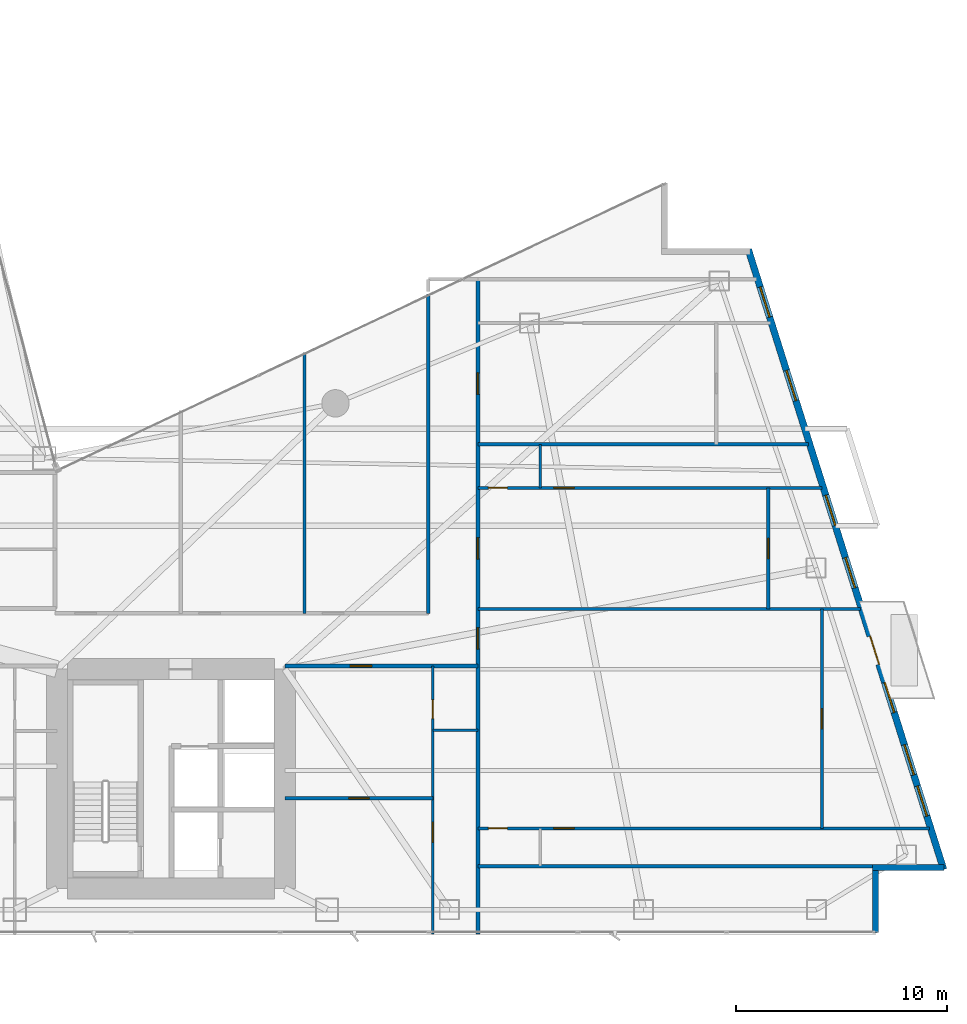
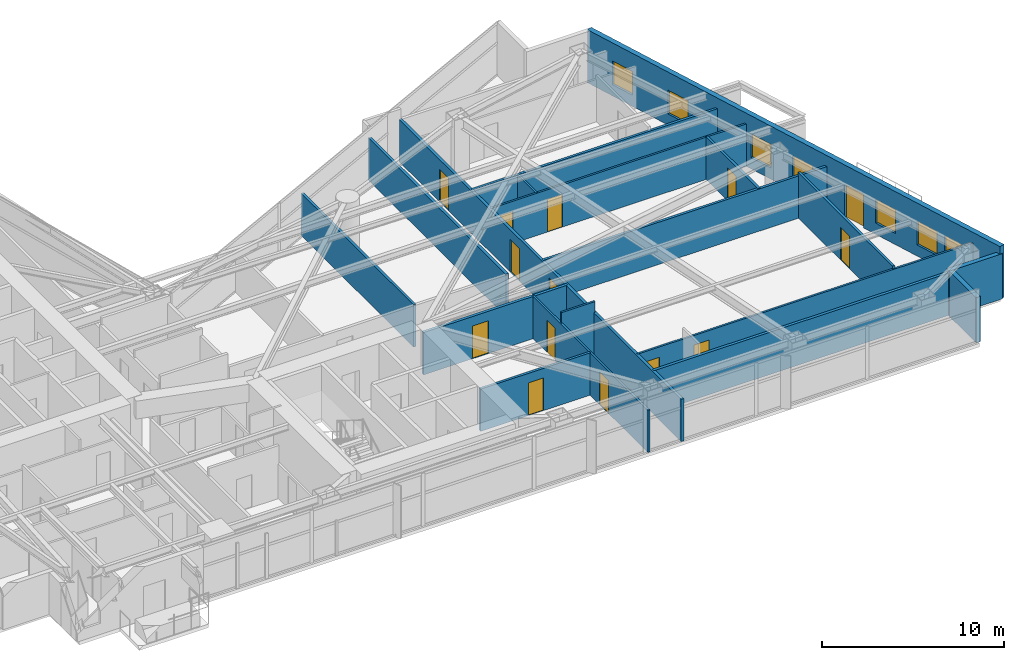
# One storey, part 24 of 29: 18 walls, 14 doors, 7 windows, 21 openings.
"""IFC4 building model written with IfcOpenShell, lengths in metres."""

from ifc_helpers import new_model, si_unit, direction, frame, frame_2d, origin, place, context, subcontext, project, spatial, rectangle, extrude, material, layer, layer_set, type_object, element, fill, save


model = new_model("IFC4")

# Units and contexts
model_context = context("Model", 3, precision=1e-05, world=origin(), true_north=direction((0.0, 1.0)))
body_context = subcontext(model_context, "Body", "Model", "MODEL_VIEW")
ifc_project = project(units=[si_unit("LENGTHUNIT", "METRE"), si_unit("AREAUNIT", "SQUARE_METRE"), si_unit("VOLUMEUNIT", "CUBIC_METRE"), si_unit("PLANEANGLEUNIT", "RADIAN"), si_unit("MASSUNIT", "GRAM", prefix="KILO")], contexts=[model_context])

# Site, building, storey
site_placement = place(None, origin())
site = spatial("IfcSite", under=ifc_project, at=site_placement, CompositionType="ELEMENT")
building_placement = place(site_placement, origin())
building = spatial("IfcBuilding", under=site, at=building_placement, Name="Calvorn Quay Hotel", CompositionType="ELEMENT")
storey_placement = place(building_placement, frame((0.0, 0.0, 62.199951171875)))
storey = spatial("IfcBuildingStorey", under=building, at=storey_placement, Name="L14", CompositionType="ELEMENT", Elevation=62.199951171875)

# Wall, opening, door
ifc_material_1 = material(Name="Acoustic Fireboard Steel-Stud Partition", Category="steel")
ifc_layer_1 = layer(ifc_material_1, 0.179931640625)
ifc_layer_set_1 = layer_set([ifc_layer_1], Name="WL-CORR-FIRE-180")
wall_type_1 = type_object("IfcWallType", Name="WL-CORR-FIRE-180", PredefinedType="PARTITIONING", material=ifc_layer_set_1)
wall_1_placement = place(storey_placement, frame((32.39990234375, 15.14990234375, 0.0), z_axis=(0.0, 0.0, 1.0), x_axis=(1.0, 0.0, 0.0)))
wall_1 = element("IfcWall", 1, at=wall_1_placement, inside=storey, type_object=wall_type_1, Name="Partition Wall L14-WL-CORR-SE-S", PredefinedType="PARTITIONING", context=body_context, shape_type="SweptSolid", body=[
    extrude(rectangle(XDim=9.150146484375, YDim=0.179931640625, at=frame_2d((4.5751953125, 0.0))), origin(), (0.0, 0.0, 1.0), 2.840087890625),
])
opening_1_placement = place(wall_1_placement, frame((3.10009765625, 0.0, 0.0)))
opening_1 = element("IfcOpeningElement", 2, at=opening_1_placement, cuts=wall_1, Name="Opening D-L14-U06", PredefinedType="OPENING", context=body_context, shape_type="SweptSolid", body=[
    extrude(rectangle(XDim=1.02001953125, YDim=2.199951171875, at=frame_2d((0.510009765625, 1.10009765625))), frame((0.0, 0.099853515625, 0.0), z_axis=(0.0, -1.0, 0.0), x_axis=(1.0, 0.0, 0.0)), (0.0, 0.0, 1.0), 0.199951171875),
])
ifc_material_2 = material(Name="Solid-Core Walnut Veneer Hotel Fire Door")
door_type_1 = type_object("IfcDoorType", Name="DR-GUEST-ENTRY-1020", OperationType="NOTDEFINED", PredefinedType="DOOR", material=ifc_material_2)
door_1_placement = place(opening_1_placement, origin())
door_1 = element("IfcDoor", 3, at=door_1_placement, inside=storey, type_object=door_type_1, Name="South-East Unit Door U06 (L14)", OperationType="SINGLE_SWING_LEFT", OverallHeight=2.199951171875, OverallWidth=1.02001953125, PredefinedType="DOOR", context=body_context, shape_type="SweptSolid", body=[
    extrude(rectangle(XDim=1.02001953125, YDim=2.199951171875, at=frame_2d((0.510009765625, 1.10009765625))), frame((0.0, 0.02490234375, 0.0), z_axis=(0.0, -1.0, 0.0), x_axis=(1.0, 0.0, 0.0)), (0.0, 0.0, 1.0), 0.050048828125),
])
fill(opening_1, door_1)

# Walls
wall_2_placement = place(storey_placement, frame((39.199951171875, 17.64990234375, 0.0), z_axis=(0.0, 0.0, 1.0), x_axis=(0.0, 1.0, 0.0)))
element("IfcWall", 4, at=wall_2_placement, inside=storey, type_object=wall_type_1, Name="Partition Wall L14-WL-NE-END-E", PredefinedType="PARTITIONING", context=body_context, shape_type="SweptSolid", body=[
    extrude(rectangle(XDim=15.14013671875, YDim=0.179931640625, at=frame_2d((7.570068359375, 0.0))), origin(), (0.0, 0.0, 1.0), 2.840087890625),
])
wall_3_placement = place(storey_placement, frame((41.550048828125, 5.659912109375, 0.0), z_axis=(0.0, 0.0, 1.0), x_axis=(1.0, 0.0, 0.0)))
element("IfcWall", 5, at=wall_3_placement, inside=storey, type_object=wall_type_1, Name="Partition Wall L14-WL-TIP-S", PredefinedType="PARTITIONING", context=body_context, shape_type="SweptSolid", body=[
    extrude(rectangle(XDim=18.849853515625, YDim=0.179931640625, at=frame_2d((9.4248046875, 0.0))), origin(), (0.0, 0.0, 1.0), 2.840087890625),
])

# Wall, openings, doors
wall_4_placement = place(storey_placement, frame((41.550048828125, 2.43994140625, 0.0), z_axis=(0.0, 0.0, 1.0), x_axis=(0.0, 1.0, 0.0)))
wall_4 = element("IfcWall", 6, at=wall_4_placement, inside=storey, type_object=wall_type_1, Name="Partition Wall L14-WL-CORR-TIP-E", PredefinedType="PARTITIONING", context=body_context, shape_type="SweptSolid", body=[
    extrude(rectangle(XDim=31.0400390625, YDim=0.179931640625, at=frame_2d((15.52001953125, 0.0))), origin(), (0.0, 0.0, 1.0), 2.840087890625),
])
opening_2_placement = place(wall_4_placement, frame((13.510009765625, 0.0, 0.0)))
opening_2 = element("IfcOpeningElement", 7, at=opening_2_placement, cuts=wall_4, Name="Opening D-L14-U07", PredefinedType="OPENING", context=body_context, shape_type="SweptSolid", body=[
    extrude(rectangle(XDim=1.02001953125, YDim=2.199951171875, at=frame_2d((0.510009765625, 1.10009765625))), frame((0.0, 0.099853515625, 0.0), z_axis=(0.0, -1.0, 0.0), x_axis=(1.0, 0.0, 0.0)), (0.0, 0.0, 1.0), 0.199951171875),
])
opening_3_placement = place(wall_4_placement, frame((17.77001953125, 0.0, 0.0)))
opening_3 = element("IfcOpeningElement", 8, at=opening_3_placement, cuts=wall_4, Name="Opening D-L14-U08", PredefinedType="OPENING", context=body_context, shape_type="SweptSolid", body=[
    extrude(rectangle(XDim=1.02001953125, YDim=2.199951171875, at=frame_2d((0.510009765625, 1.10009765625))), frame((0.0, 0.099853515625, 0.0), z_axis=(0.0, -1.0, 0.0), x_axis=(1.0, 0.0, 0.0)), (0.0, 0.0, 1.0), 0.199951171875),
])
opening_4_placement = place(wall_4_placement, frame((25.580078125, 0.0, 0.0)))
opening_4 = element("IfcOpeningElement", 9, at=opening_4_placement, cuts=wall_4, Name="Opening D-L14-U09", PredefinedType="OPENING", context=body_context, shape_type="SweptSolid", body=[
    extrude(rectangle(XDim=1.02001953125, YDim=2.199951171875, at=frame_2d((0.510009765625, 1.10009765625))), frame((0.0, 0.099853515625, 0.0), z_axis=(0.0, -1.0, 0.0), x_axis=(1.0, 0.0, 0.0)), (0.0, 0.0, 1.0), 0.199951171875),
])
door_2_placement = place(opening_2_placement, origin())
door_2 = element("IfcDoor", 10, at=door_2_placement, inside=storey, type_object=door_type_1, Name="Terrace Suite Door U07 (L14)", OperationType="SINGLE_SWING_LEFT", OverallHeight=2.199951171875, OverallWidth=1.02001953125, PredefinedType="DOOR", context=body_context, shape_type="SweptSolid", body=[
    extrude(rectangle(XDim=1.02001953125, YDim=2.199951171875, at=frame_2d((0.510009765625, 1.10009765625))), frame((0.0, 0.02490234375, 0.0), z_axis=(0.0, -1.0, 0.0), x_axis=(1.0, 0.0, 0.0)), (0.0, 0.0, 1.0), 0.050048828125),
])
fill(opening_2, door_2)
door_3_placement = place(opening_3_placement, origin())
door_3 = element("IfcDoor", 11, at=door_3_placement, inside=storey, type_object=door_type_1, Name="Mid-East Suite Door U08 (L14)", OperationType="SINGLE_SWING_RIGHT", OverallHeight=2.199951171875, OverallWidth=1.02001953125, PredefinedType="DOOR", context=body_context, shape_type="SweptSolid", body=[
    extrude(rectangle(XDim=1.02001953125, YDim=2.199951171875, at=frame_2d((0.510009765625, 1.10009765625))), frame((0.0, 0.02490234375, 0.0), z_axis=(0.0, -1.0, 0.0), x_axis=(1.0, 0.0, 0.0)), (0.0, 0.0, 1.0), 0.050048828125),
])
fill(opening_3, door_3)
door_4_placement = place(opening_4_placement, origin())
door_4 = element("IfcDoor", 12, at=door_4_placement, inside=storey, type_object=door_type_1, Name="Horizon Suite Door U09 (L14)", OperationType="SINGLE_SWING_LEFT", OverallHeight=2.199951171875, OverallWidth=1.02001953125, PredefinedType="DOOR", context=body_context, shape_type="SweptSolid", body=[
    extrude(rectangle(XDim=1.02001953125, YDim=2.199951171875, at=frame_2d((0.510009765625, 1.10009765625))), frame((0.0, 0.02490234375, 0.0), z_axis=(0.0, -1.0, 0.0), x_axis=(1.0, 0.0, 0.0)), (0.0, 0.0, 1.0), 0.050048828125),
])
fill(opening_4, door_4)

# Wall
ifc_material_3 = material(Name="Moisture-Resistant Tile-Backed Partition")
ifc_layer_2 = layer(ifc_material_3, 0.125)
ifc_layer_set_2 = layer_set([ifc_layer_2], Name="WL-ENSUITE-125")
wall_type_2 = type_object("IfcWallType", Name="WL-ENSUITE-125", PredefinedType="PARTITIONING", material=ifc_layer_set_2)
wall_5_placement = place(storey_placement, frame((39.419921875, 12.10009765625, 0.0), z_axis=(0.0, 0.0, 1.0), x_axis=(1.0, 0.0, 0.0)))
element("IfcWall", 13, at=wall_5_placement, inside=storey, type_object=wall_type_2, Name="Partition Wall L14-WL-U06-BDV", PredefinedType="PARTITIONING", context=body_context, shape_type="SweptSolid", body=[
    extrude(rectangle(XDim=2.130126953125, YDim=0.125, at=frame_2d((1.06494140625, 0.0))), origin(), (0.0, 0.0, 1.0), 3.56005859375),
])

# Wall, openings, doors
wall_6_placement = place(storey_placement, frame((39.419921875, 2.43994140625, 0.0), z_axis=(0.0, 0.0, 1.0), x_axis=(0.0, 1.0, 0.0)))
wall_6 = element("IfcWall", 14, at=wall_6_placement, inside=storey, type_object=wall_type_2, Name="Partition Wall L14-WL-U06-BV", PredefinedType="PARTITIONING", context=body_context, shape_type="SweptSolid", body=[
    extrude(rectangle(XDim=12.7099609375, YDim=0.125, at=frame_2d((6.35498046875, 0.0))), origin(), (0.0, 0.0, 1.0), 2.840087890625),
])
opening_5_placement = place(wall_6_placement, frame((4.35009765625, 0.0, 0.0)))
opening_5 = element("IfcOpeningElement", 15, at=opening_5_placement, cuts=wall_6, Name="Opening D-L14-S06", PredefinedType="OPENING", context=body_context, shape_type="SweptSolid", body=[
    extrude(rectangle(XDim=0.9599609375, YDim=2.199951171875, at=frame_2d((0.47998046875, 1.10009765625))), frame((0.0, 0.072509765625, 0.0), z_axis=(0.0, -1.0, 0.0), x_axis=(1.0, 0.0, 0.0)), (0.0, 0.0, 1.0), 0.14501953125),
])
opening_6_placement = place(wall_6_placement, frame((10.2099609375, 0.0, 0.0)))
opening_6 = element("IfcOpeningElement", 16, at=opening_6_placement, cuts=wall_6, Name="Opening D-L14-E06", PredefinedType="OPENING", context=body_context, shape_type="SweptSolid", body=[
    extrude(rectangle(XDim=0.89990234375, YDim=2.14990234375, at=frame_2d((0.449951171875, 1.074951171875))), frame((0.0, 0.072509765625, 0.0), z_axis=(0.0, -1.0, 0.0), x_axis=(1.0, 0.0, 0.0)), (0.0, 0.0, 1.0), 0.14501953125),
])
ifc_material_4 = material(Name="Moisture-Sealed Timber En-Suite Door", Category="wood")
door_type_2 = type_object("IfcDoorType", Name="DR-ENSUITE-900", OperationType="NOTDEFINED", PredefinedType="DOOR", material=ifc_material_4)
door_5_placement = place(opening_6_placement, origin())
door_5 = element("IfcDoor", 17, at=door_5_placement, inside=storey, type_object=door_type_2, Name="En-Suite Door 06", OperationType="SINGLE_SWING_RIGHT", OverallHeight=2.14990234375, OverallWidth=0.89990234375, PredefinedType="DOOR", context=body_context, shape_type="SweptSolid", body=[
    extrude(rectangle(XDim=0.89990234375, YDim=2.14990234375, at=frame_2d((0.449951171875, 1.074951171875))), frame((0.0, 0.02490234375, 0.0), z_axis=(0.0, -1.0, 0.0), x_axis=(1.0, 0.0, 0.0)), (0.0, 0.0, 1.0), 0.050048828125),
])
fill(opening_6, door_5)
ifc_material_5 = material(Name="Solid Timber Internal Suite Door", Category="wood")
door_type_3 = type_object("IfcDoorType", Name="DR-SUITE-INT-960", OperationType="NOTDEFINED", PredefinedType="DOOR", material=ifc_material_5)
door_6_placement = place(opening_5_placement, origin())
door_6 = element("IfcDoor", 18, at=door_6_placement, inside=storey, type_object=door_type_3, Name="Private Executive Study Door 06", OperationType="SINGLE_SWING_LEFT", OverallHeight=2.199951171875, OverallWidth=0.9599609375, PredefinedType="DOOR", context=body_context, shape_type="SweptSolid", body=[
    extrude(rectangle(XDim=0.9599609375, YDim=2.199951171875, at=frame_2d((0.47998046875, 1.10009765625))), frame((0.0, 0.02490234375, 0.0), z_axis=(0.0, -1.0, 0.0), x_axis=(1.0, 0.0, 0.0)), (0.0, 0.0, 1.0), 0.050048828125),
])
fill(opening_5, door_6)

wall_7_placement = place(storey_placement, frame((41.550048828125, 7.449951171875, 0.0), z_axis=(0.0, 0.0, 1.0), x_axis=(1.0, 0.0, 0.0)))
wall_7 = element("IfcWall", 19, at=wall_7_placement, inside=storey, type_object=wall_type_2, Name="Partition Wall L14-WL-U07-BH", PredefinedType="PARTITIONING", context=body_context, shape_type="SweptSolid", body=[
    extrude(rectangle(XDim=21.409912109375, YDim=0.125, at=frame_2d((10.705078125, 0.0))), origin(), (0.0, 0.0, 1.0), 2.840087890625),
])
opening_7_placement = place(wall_7_placement, frame((0.5, 0.0, 0.0)))
opening_7 = element("IfcOpeningElement", 20, at=opening_7_placement, cuts=wall_7, Name="Opening D-L14-E07", PredefinedType="OPENING", context=body_context, shape_type="SweptSolid", body=[
    extrude(rectangle(XDim=0.89990234375, YDim=2.14990234375, at=frame_2d((0.449951171875, 1.074951171875))), frame((0.0, 0.072509765625, 0.0), z_axis=(0.0, -1.0, 0.0), x_axis=(1.0, 0.0, 0.0)), (0.0, 0.0, 1.0), 0.14501953125),
])
opening_8_placement = place(wall_7_placement, frame((3.60009765625, 0.0, 0.0)))
opening_8 = element("IfcOpeningElement", 21, at=opening_8_placement, cuts=wall_7, Name="Opening D-L14-S07", PredefinedType="OPENING", context=body_context, shape_type="SweptSolid", body=[
    extrude(rectangle(XDim=0.9599609375, YDim=2.199951171875, at=frame_2d((0.47998046875, 1.10009765625))), frame((0.0, 0.072509765625, 0.0), z_axis=(0.0, -1.0, 0.0), x_axis=(1.0, 0.0, 0.0)), (0.0, 0.0, 1.0), 0.14501953125),
])
door_7_placement = place(opening_7_placement, origin())
door_7 = element("IfcDoor", 22, at=door_7_placement, inside=storey, type_object=door_type_2, Name="En-Suite Door 07", OperationType="SINGLE_SWING_LEFT", OverallHeight=2.14990234375, OverallWidth=0.89990234375, PredefinedType="DOOR", context=body_context, shape_type="SweptSolid", body=[
    extrude(rectangle(XDim=0.89990234375, YDim=2.14990234375, at=frame_2d((0.449951171875, 1.074951171875))), frame((0.0, 0.02490234375, 0.0), z_axis=(0.0, -1.0, 0.0), x_axis=(1.0, 0.0, 0.0)), (0.0, 0.0, 1.0), 0.050048828125),
])
fill(opening_7, door_7)
door_8_placement = place(opening_8_placement, origin())
door_8 = element("IfcDoor", 23, at=door_8_placement, inside=storey, type_object=door_type_3, Name="Private Executive Study Door 07", OperationType="SINGLE_SWING_RIGHT", OverallHeight=2.199951171875, OverallWidth=0.9599609375, PredefinedType="DOOR", context=body_context, shape_type="SweptSolid", body=[
    extrude(rectangle(XDim=0.9599609375, YDim=2.199951171875, at=frame_2d((0.47998046875, 1.10009765625))), frame((0.0, 0.02490234375, 0.0), z_axis=(0.0, -1.0, 0.0), x_axis=(1.0, 0.0, 0.0)), (0.0, 0.0, 1.0), 0.050048828125),
])
fill(opening_8, door_8)

# Wall
wall_8_placement = place(storey_placement, frame((44.5, 23.590087890625, 0.0), z_axis=(0.0, 0.0, 1.0), x_axis=(0.0, 1.0, 0.0)))
element("IfcWall", 24, at=wall_8_placement, inside=storey, type_object=wall_type_2, Name="Partition Wall L14-WL-U08-BDV", PredefinedType="PARTITIONING", context=body_context, shape_type="SweptSolid", body=[
    extrude(rectangle(XDim=2.06982421875, YDim=0.125, at=frame_2d((1.034912109375, 0.0))), origin(), (0.0, 0.0, 1.0), 2.840087890625),
])

# Wall, openings, doors
wall_9_placement = place(storey_placement, frame((41.550048828125, 23.590087890625, 0.0), z_axis=(0.0, 0.0, 1.0), x_axis=(1.0, 0.0, 0.0)))
wall_9 = element("IfcWall", 25, at=wall_9_placement, inside=storey, type_object=wall_type_2, Name="Partition Wall L14-WL-U08-BH", PredefinedType="PARTITIONING", context=body_context, shape_type="SweptSolid", body=[
    extrude(rectangle(XDim=16.320068359375, YDim=0.125, at=frame_2d((8.16015625, 0.0))), origin(), (0.0, 0.0, 1.0), 2.840087890625),
])
opening_9_placement = place(wall_9_placement, frame((0.5, 0.0, 0.0)))
opening_9 = element("IfcOpeningElement", 26, at=opening_9_placement, cuts=wall_9, Name="Opening D-L14-E08", PredefinedType="OPENING", context=body_context, shape_type="SweptSolid", body=[
    extrude(rectangle(XDim=0.89990234375, YDim=2.14990234375, at=frame_2d((0.449951171875, 1.074951171875))), frame((0.0, 0.072509765625, 0.0), z_axis=(0.0, -1.0, 0.0), x_axis=(1.0, 0.0, 0.0)), (0.0, 0.0, 1.0), 0.14501953125),
])
opening_10_placement = place(wall_9_placement, frame((3.60009765625, 0.0, 0.0)))
opening_10 = element("IfcOpeningElement", 27, at=opening_10_placement, cuts=wall_9, Name="Opening D-L14-S08", PredefinedType="OPENING", context=body_context, shape_type="SweptSolid", body=[
    extrude(rectangle(XDim=0.9599609375, YDim=2.199951171875, at=frame_2d((0.47998046875, 1.10009765625))), frame((0.0, 0.072509765625, 0.0), z_axis=(0.0, -1.0, 0.0), x_axis=(1.0, 0.0, 0.0)), (0.0, 0.0, 1.0), 0.14501953125),
])
door_9_placement = place(opening_9_placement, origin())
door_9 = element("IfcDoor", 28, at=door_9_placement, inside=storey, type_object=door_type_2, Name="En-Suite Door 08", OperationType="SINGLE_SWING_LEFT", OverallHeight=2.14990234375, OverallWidth=0.89990234375, PredefinedType="DOOR", context=body_context, shape_type="SweptSolid", body=[
    extrude(rectangle(XDim=0.89990234375, YDim=2.14990234375, at=frame_2d((0.449951171875, 1.074951171875))), frame((0.0, 0.02490234375, 0.0), z_axis=(0.0, -1.0, 0.0), x_axis=(1.0, 0.0, 0.0)), (0.0, 0.0, 1.0), 0.050048828125),
])
fill(opening_9, door_9)
door_10_placement = place(opening_10_placement, origin())
door_10 = element("IfcDoor", 29, at=door_10_placement, inside=storey, type_object=door_type_3, Name="Private Executive Study Door 08", OperationType="SINGLE_SWING_RIGHT", OverallHeight=2.199951171875, OverallWidth=0.9599609375, PredefinedType="DOOR", context=body_context, shape_type="SweptSolid", body=[
    extrude(rectangle(XDim=0.9599609375, YDim=2.199951171875, at=frame_2d((0.47998046875, 1.10009765625))), frame((0.0, 0.02490234375, 0.0), z_axis=(0.0, -1.0, 0.0), x_axis=(1.0, 0.0, 0.0)), (0.0, 0.0, 1.0), 0.050048828125),
])
fill(opening_10, door_10)

# Walls
ifc_material_6 = material(Name="Concrete C40", Category="concrete")
ifc_layer_3 = layer(ifc_material_6, 0.320068359375)
ifc_layer_set_3 = layer_set([ifc_layer_3], Name="WL-EXT-SPANDREL-320")
wall_type_3 = type_object("IfcWallType", Name="WL-EXT-SPANDREL-320", PredefinedType="SOLIDWALL", material=ifc_layer_set_3)
wall_10_placement = place(storey_placement, frame((60.39990234375, 2.52001953125, 0.0), z_axis=(0.0, 0.0, 1.0), x_axis=(0.0, 1.0, 0.0)))
element("IfcWall", 30, at=wall_10_placement, inside=storey, type_object=wall_type_3, Name="Notched Corner Spandrel L14-SE1", PredefinedType="SOLIDWALL", context=body_context, shape_type="SweptSolid", body=[
    extrude(rectangle(XDim=2.93994140625, YDim=0.280029296875, at=frame_2d((1.469970703125, 0.0))), origin(), (0.0, 0.0, 1.0), 3.0400390625),
])
wall_11_placement = place(storey_placement, frame((60.260009765625, 5.60009765625, 0.0), z_axis=(0.0, 0.0, 1.0), x_axis=(1.0, 0.0, 0.0)))
element("IfcWall", 31, at=wall_11_placement, inside=storey, type_object=wall_type_3, Name="Notched Corner Spandrel L14-SE2", PredefinedType="SOLIDWALL", context=body_context, shape_type="SweptSolid", body=[
    extrude(rectangle(XDim=3.3798828125, YDim=0.280029296875, at=frame_2d((1.68994140625, 0.0))), origin(), (0.0, 0.0, 1.0), 3.0400390625),
])

# Wall, openings, door, windows
wall_12_placement = place(storey_placement, frame((63.6298828125, 5.5048828125, 0.0), z_axis=(0.0, 0.0, 1.0), x_axis=(-0.300501856448, 0.953781229775, 0.0)))
wall_12 = element("IfcWall", 32, at=wall_12_placement, inside=storey, type_object=wall_type_3, Name="East Stepped Waterfront Exterior Wall (L14)", PredefinedType="SOLIDWALL", context=body_context, shape_type="SweptSolid", body=[
    extrude(rectangle(XDim=30.814453125, YDim=0.320068359375, at=frame_2d((15.4072265625, 0.0))), origin(), (0.0, 0.0, 1.0), 3.56005859375),
])
opening_11_placement = place(wall_12_placement, frame((10.198974609375, 0.0, 0.0)))
opening_11 = element("IfcOpeningElement", 33, at=opening_11_placement, cuts=wall_12, Name="Opening DB-L14-1", PredefinedType="OPENING", context=body_context, shape_type="SweptSolid", body=[
    extrude(rectangle(XDim=1.39990234375, YDim=2.25, at=frame_2d((0.699951171875, 1.125))), frame((0.0, 0.169921875, 0.0), z_axis=(0.0, -1.0, 0.0), x_axis=(1.0, 0.0, 0.0)), (0.0, 0.0, 1.0), 0.340087890625),
])
opening_12_placement = place(wall_12_placement, frame((2.64990234375, 0.0, 0.75)))
opening_12 = element("IfcOpeningElement", 34, at=opening_12_placement, cuts=wall_12, Name="Opening WG-L14-E1", PredefinedType="OPENING", context=body_context, shape_type="SweptSolid", body=[
    extrude(rectangle(XDim=1.5, YDim=1.60009765625, at=frame_2d((0.75, 0.800048828125))), frame((0.0, 0.169921875, 0.0), z_axis=(0.0, -1.0, 0.0), x_axis=(1.0, 0.0, 0.0)), (0.0, 0.0, 1.0), 0.340087890625),
])
opening_13_placement = place(wall_12_placement, frame((4.699951171875, 0.0, 0.75)))
opening_13 = element("IfcOpeningElement", 35, at=opening_13_placement, cuts=wall_12, Name="Opening WG-L14-E2", PredefinedType="OPENING", context=body_context, shape_type="SweptSolid", body=[
    extrude(rectangle(XDim=1.5, YDim=1.60009765625, at=frame_2d((0.75, 0.800048828125))), frame((0.0, 0.169921875, 0.0), z_axis=(0.0, -1.0, 0.0), x_axis=(1.0, 0.0, 0.0)), (0.0, 0.0, 1.0), 0.340087890625),
])
opening_14_placement = place(wall_12_placement, frame((7.800048828125, 0.0, 0.75)))
opening_14 = element("IfcOpeningElement", 36, at=opening_14_placement, cuts=wall_12, Name="Opening WG-L14-E3", PredefinedType="OPENING", context=body_context, shape_type="SweptSolid", body=[
    extrude(rectangle(XDim=1.5, YDim=1.60009765625, at=frame_2d((0.75, 0.800048828125))), frame((0.0, 0.169921875, 0.0), z_axis=(0.0, -1.0, 0.0), x_axis=(1.0, 0.0, 0.0)), (0.0, 0.0, 1.0), 0.340087890625),
])
opening_15_placement = place(wall_12_placement, frame((14.0, 0.0, 0.75)))
opening_15 = element("IfcOpeningElement", 37, at=opening_15_placement, cuts=wall_12, Name="Opening WG-L14-E4", PredefinedType="OPENING", context=body_context, shape_type="SweptSolid", body=[
    extrude(rectangle(XDim=1.5, YDim=1.60009765625, at=frame_2d((0.75, 0.800048828125))), frame((0.0, 0.169921875, 0.0), z_axis=(0.0, -1.0, 0.0), x_axis=(1.0, 0.0, 0.0)), (0.0, 0.0, 1.0), 0.340087890625),
])
opening_16_placement = place(wall_12_placement, frame((17.10009765625, 0.0, 0.75)))
opening_16 = element("IfcOpeningElement", 38, at=opening_16_placement, cuts=wall_12, Name="Opening WG-L14-E5", PredefinedType="OPENING", context=body_context, shape_type="SweptSolid", body=[
    extrude(rectangle(XDim=1.5, YDim=1.60009765625, at=frame_2d((0.75, 0.800048828125))), frame((0.0, 0.169921875, 0.0), z_axis=(0.0, -1.0, 0.0), x_axis=(1.0, 0.0, 0.0)), (0.0, 0.0, 1.0), 0.340087890625),
])
opening_17_placement = place(wall_12_placement, frame((23.300048828125, 0.0, 0.75)))
opening_17 = element("IfcOpeningElement", 39, at=opening_17_placement, cuts=wall_12, Name="Opening WG-L14-E6", PredefinedType="OPENING", context=body_context, shape_type="SweptSolid", body=[
    extrude(rectangle(XDim=1.5, YDim=1.60009765625, at=frame_2d((0.75, 0.800048828125))), frame((0.0, 0.169921875, 0.0), z_axis=(0.0, -1.0, 0.0), x_axis=(1.0, 0.0, 0.0)), (0.0, 0.0, 1.0), 0.340087890625),
])
opening_18_placement = place(wall_12_placement, frame((27.449951171875, 0.0, 0.75)))
opening_18 = element("IfcOpeningElement", 40, at=opening_18_placement, cuts=wall_12, Name="Opening WG-L14-E7", PredefinedType="OPENING", context=body_context, shape_type="SweptSolid", body=[
    extrude(rectangle(XDim=1.5, YDim=1.60009765625, at=frame_2d((0.75, 0.800048828125))), frame((0.0, 0.169921875, 0.0), z_axis=(0.0, -1.0, 0.0), x_axis=(1.0, 0.0, 0.0)), (0.0, 0.0, 1.0), 0.340087890625),
])
ifc_material_7 = material(Name="Typhoon-Rated Low-E Aluminium Terrace Door", Category="aluminium")
door_type_4 = type_object("IfcDoorType", Name="DR-BALCONY-GLZ-1400", OperationType="NOTDEFINED", PredefinedType="DOOR", material=ifc_material_7)
door_11_placement = place(opening_11_placement, origin())
door_11 = element("IfcDoor", 41, at=door_11_placement, inside=storey, type_object=door_type_4, Name="Tree Balcony Terrace Door L14-BALC-E", OperationType="SINGLE_SWING_LEFT", OverallHeight=2.25, OverallWidth=1.39990234375, PredefinedType="DOOR", context=body_context, shape_type="SweptSolid", body=[
    extrude(rectangle(XDim=1.39990234375, YDim=2.25, at=frame_2d((0.699951171875, 1.125))), frame((0.0, 0.02490234375, 0.0), z_axis=(0.0, -1.0, 0.0), x_axis=(1.0, 0.0, 0.0)), (0.0, 0.0, 1.0), 0.050048828125),
])
fill(opening_11, door_11)
ifc_material_8 = material(Name="Self-Closing Class B Fire Window")
window_type = type_object("IfcWindowType", Name="WIN-REFUGE-1500x1600", PartitioningType="SINGLE_PANEL", PredefinedType="WINDOW", material=ifc_material_8)
window_1_placement = place(opening_12_placement, origin())
window_1 = element("IfcWindow", 42, at=window_1_placement, inside=storey, type_object=window_type, Name="East Facade Window L14-E1", OverallHeight=1.60009765625, OverallWidth=1.5, PartitioningType="SINGLE_PANEL", PredefinedType="WINDOW", context=body_context, shape_type="SweptSolid", body=[
    extrude(rectangle(XDim=1.5, YDim=1.60009765625, at=frame_2d((0.75, 0.800048828125))), frame((0.0, 0.030029296875, 0.0), z_axis=(0.0, -1.0, 0.0), x_axis=(1.0, 0.0, 0.0)), (0.0, 0.0, 1.0), 0.06005859375),
])
fill(opening_12, window_1)
window_2_placement = place(opening_13_placement, origin())
window_2 = element("IfcWindow", 43, at=window_2_placement, inside=storey, type_object=window_type, Name="East Facade Window L14-E2", OverallHeight=1.60009765625, OverallWidth=1.5, PartitioningType="SINGLE_PANEL", PredefinedType="WINDOW", context=body_context, shape_type="SweptSolid", body=[
    extrude(rectangle(XDim=1.5, YDim=1.60009765625, at=frame_2d((0.75, 0.800048828125))), frame((0.0, 0.030029296875, 0.0), z_axis=(0.0, -1.0, 0.0), x_axis=(1.0, 0.0, 0.0)), (0.0, 0.0, 1.0), 0.06005859375),
])
fill(opening_13, window_2)
window_3_placement = place(opening_14_placement, origin())
window_3 = element("IfcWindow", 44, at=window_3_placement, inside=storey, type_object=window_type, Name="East Facade Window L14-E3", OverallHeight=1.60009765625, OverallWidth=1.5, PartitioningType="SINGLE_PANEL", PredefinedType="WINDOW", context=body_context, shape_type="SweptSolid", body=[
    extrude(rectangle(XDim=1.5, YDim=1.60009765625, at=frame_2d((0.75, 0.800048828125))), frame((0.0, 0.030029296875, 0.0), z_axis=(0.0, -1.0, 0.0), x_axis=(1.0, 0.0, 0.0)), (0.0, 0.0, 1.0), 0.06005859375),
])
fill(opening_14, window_3)
window_4_placement = place(opening_15_placement, origin())
window_4 = element("IfcWindow", 45, at=window_4_placement, inside=storey, type_object=window_type, Name="East Facade Window L14-E4", OverallHeight=1.60009765625, OverallWidth=1.5, PartitioningType="SINGLE_PANEL", PredefinedType="WINDOW", context=body_context, shape_type="SweptSolid", body=[
    extrude(rectangle(XDim=1.5, YDim=1.60009765625, at=frame_2d((0.75, 0.800048828125))), frame((0.0, 0.030029296875, 0.0), z_axis=(0.0, -1.0, 0.0), x_axis=(1.0, 0.0, 0.0)), (0.0, 0.0, 1.0), 0.06005859375),
])
fill(opening_15, window_4)
window_5_placement = place(opening_16_placement, origin())
window_5 = element("IfcWindow", 46, at=window_5_placement, inside=storey, type_object=window_type, Name="East Facade Window L14-E5", OverallHeight=1.60009765625, OverallWidth=1.5, PartitioningType="SINGLE_PANEL", PredefinedType="WINDOW", context=body_context, shape_type="SweptSolid", body=[
    extrude(rectangle(XDim=1.5, YDim=1.60009765625, at=frame_2d((0.75, 0.800048828125))), frame((0.0, 0.030029296875, 0.0), z_axis=(0.0, -1.0, 0.0), x_axis=(1.0, 0.0, 0.0)), (0.0, 0.0, 1.0), 0.06005859375),
])
fill(opening_16, window_5)
window_6_placement = place(opening_17_placement, origin())
window_6 = element("IfcWindow", 47, at=window_6_placement, inside=storey, type_object=window_type, Name="East Facade Window L14-E6", OverallHeight=1.60009765625, OverallWidth=1.5, PartitioningType="SINGLE_PANEL", PredefinedType="WINDOW", context=body_context, shape_type="SweptSolid", body=[
    extrude(rectangle(XDim=1.5, YDim=1.60009765625, at=frame_2d((0.75, 0.800048828125))), frame((0.0, 0.030029296875, 0.0), z_axis=(0.0, -1.0, 0.0), x_axis=(1.0, 0.0, 0.0)), (0.0, 0.0, 1.0), 0.06005859375),
])
fill(opening_17, window_6)
window_7_placement = place(opening_18_placement, origin())
window_7 = element("IfcWindow", 48, at=window_7_placement, inside=storey, type_object=window_type, Name="East Facade Window L14-E7", OverallHeight=1.60009765625, OverallWidth=1.5, PartitioningType="SINGLE_PANEL", PredefinedType="WINDOW", context=body_context, shape_type="SweptSolid", body=[
    extrude(rectangle(XDim=1.5, YDim=1.60009765625, at=frame_2d((0.75, 0.800048828125))), frame((0.0, 0.030029296875, 0.0), z_axis=(0.0, -1.0, 0.0), x_axis=(1.0, 0.0, 0.0)), (0.0, 0.0, 1.0), 0.06005859375),
])
fill(opening_18, window_7)

# Wall, opening, door
ifc_material_9 = material(Name="Double-Stud Acoustic Gypsum Partition")
ifc_layer_4 = layer(ifc_material_9, 0.159912109375)
ifc_layer_set_4 = layer_set([ifc_layer_4], Name="WL-INTERSUITE-160")
wall_type_4 = type_object("IfcWallType", Name="WL-INTERSUITE-160", PredefinedType="PARTITIONING", material=ifc_layer_set_4)
wall_13_placement = place(storey_placement, frame((32.39990234375, 8.8798828125, 0.0), z_axis=(0.0, 0.0, 1.0), x_axis=(1.0, 0.0, 0.0)))
wall_13 = element("IfcWall", 49, at=wall_13_placement, inside=storey, type_object=wall_type_4, Name="Partition Wall L14-WL-U06-MSP", PredefinedType="PARTITIONING", context=body_context, shape_type="SweptSolid", body=[
    extrude(rectangle(XDim=7.02001953125, YDim=0.159912109375, at=frame_2d((3.510009765625, 0.0))), origin(), (0.0, 0.0, 1.0), 2.840087890625),
])
opening_19_placement = place(wall_13_placement, frame((3.030029296875, 0.0, 0.0)))
opening_19 = element("IfcOpeningElement", 50, at=opening_19_placement, cuts=wall_13, Name="Opening D-L14-M06", PredefinedType="OPENING", context=body_context, shape_type="SweptSolid", body=[
    extrude(rectangle(XDim=0.9599609375, YDim=2.199951171875, at=frame_2d((0.47998046875, 1.10009765625))), frame((0.0, 0.08984375, 0.0), z_axis=(0.0, -1.0, 0.0), x_axis=(1.0, 0.0, 0.0)), (0.0, 0.0, 1.0), 0.179931640625),
])
door_12_placement = place(opening_19_placement, origin())
door_12 = element("IfcDoor", 51, at=door_12_placement, inside=storey, type_object=door_type_3, Name="Suite Bedroom Door 06", OperationType="SINGLE_SWING_LEFT", OverallHeight=2.199951171875, OverallWidth=0.9599609375, PredefinedType="DOOR", context=body_context, shape_type="SweptSolid", body=[
    extrude(rectangle(XDim=0.9599609375, YDim=2.199951171875, at=frame_2d((0.47998046875, 1.10009765625))), frame((0.0, 0.02490234375, 0.0), z_axis=(0.0, -1.0, 0.0), x_axis=(1.0, 0.0, 0.0)), (0.0, 0.0, 1.0), 0.050048828125),
])
fill(opening_19, door_12)

# Wall
wall_14_placement = place(storey_placement, frame((33.330078125, 17.64990234375, 0.0), z_axis=(0.0, 0.0, 1.0), x_axis=(0.0, 1.0, 0.0)))
element("IfcWall", 52, at=wall_14_placement, inside=storey, type_object=wall_type_4, Name="Partition Wall L14-WL-NE-DIV-2", PredefinedType="PARTITIONING", context=body_context, shape_type="SweptSolid", body=[
    extrude(rectangle(XDim=12.3701171875, YDim=0.159912109375, at=frame_2d((6.18505859375, 0.0))), origin(), (0.0, 0.0, 1.0), 2.840087890625),
])

# Wall, opening, door
wall_15_placement = place(storey_placement, frame((57.860107421875, 7.449951171875, 0.0), z_axis=(0.0, 0.0, 1.0), x_axis=(0.0, 1.0, 0.0)))
wall_15 = element("IfcWall", 53, at=wall_15_placement, inside=storey, type_object=wall_type_4, Name="Partition Wall L14-WL-U07-MSP", PredefinedType="PARTITIONING", context=body_context, shape_type="SweptSolid", body=[
    extrude(rectangle(XDim=10.400146484375, YDim=0.159912109375, at=frame_2d((5.2001953125, 0.0))), origin(), (0.0, 0.0, 1.0), 3.0400390625),
])
opening_20_placement = place(wall_15_placement, frame((4.719970703125, 0.0, 0.0)))
opening_20 = element("IfcOpeningElement", 54, at=opening_20_placement, cuts=wall_15, Name="Opening D-L14-M07", PredefinedType="OPENING", context=body_context, shape_type="SweptSolid", body=[
    extrude(rectangle(XDim=0.9599609375, YDim=2.199951171875, at=frame_2d((0.47998046875, 1.10009765625))), frame((0.0, 0.08984375, 0.0), z_axis=(0.0, -1.0, 0.0), x_axis=(1.0, 0.0, 0.0)), (0.0, 0.0, 1.0), 0.179931640625),
])
door_13_placement = place(opening_20_placement, origin())
door_13 = element("IfcDoor", 55, at=door_13_placement, inside=storey, type_object=door_type_3, Name="Suite Bedroom Door 07", OperationType="SINGLE_SWING_LEFT", OverallHeight=2.199951171875, OverallWidth=0.9599609375, PredefinedType="DOOR", context=body_context, shape_type="SweptSolid", body=[
    extrude(rectangle(XDim=0.9599609375, YDim=2.199951171875, at=frame_2d((0.47998046875, 1.10009765625))), frame((0.0, 0.02490234375, 0.0), z_axis=(0.0, -1.0, 0.0), x_axis=(1.0, 0.0, 0.0)), (0.0, 0.0, 1.0), 0.050048828125),
])
fill(opening_20, door_13)

wall_16_placement = place(storey_placement, frame((55.320068359375, 17.85009765625, 0.0), z_axis=(0.0, 0.0, 1.0), x_axis=(0.0, 1.0, 0.0)))
wall_16 = element("IfcWall", 56, at=wall_16_placement, inside=storey, type_object=wall_type_4, Name="Partition Wall L14-WL-U08-MSP", PredefinedType="PARTITIONING", context=body_context, shape_type="SweptSolid", body=[
    extrude(rectangle(XDim=5.739990234375, YDim=0.159912109375, at=frame_2d((2.8701171875, 0.0))), origin(), (0.0, 0.0, 1.0), 2.840087890625),
])
opening_21_placement = place(wall_16_placement, frame((2.389892578125, 0.0, 0.0)))
opening_21 = element("IfcOpeningElement", 57, at=opening_21_placement, cuts=wall_16, Name="Opening D-L14-M08", PredefinedType="OPENING", context=body_context, shape_type="SweptSolid", body=[
    extrude(rectangle(XDim=0.9599609375, YDim=2.199951171875, at=frame_2d((0.47998046875, 1.10009765625))), frame((0.0, 0.08984375, 0.0), z_axis=(0.0, -1.0, 0.0), x_axis=(1.0, 0.0, 0.0)), (0.0, 0.0, 1.0), 0.179931640625),
])
door_14_placement = place(opening_21_placement, origin())
door_14 = element("IfcDoor", 58, at=door_14_placement, inside=storey, type_object=door_type_3, Name="Suite Bedroom Door 08", OperationType="SINGLE_SWING_LEFT", OverallHeight=2.199951171875, OverallWidth=0.9599609375, PredefinedType="DOOR", context=body_context, shape_type="SweptSolid", body=[
    extrude(rectangle(XDim=0.9599609375, YDim=2.199951171875, at=frame_2d((0.47998046875, 1.10009765625))), frame((0.0, 0.02490234375, 0.0), z_axis=(0.0, -1.0, 0.0), x_axis=(1.0, 0.0, 0.0)), (0.0, 0.0, 1.0), 0.050048828125),
])
fill(opening_21, door_14)

# Walls
wall_17_placement = place(storey_placement, frame((41.550048828125, 25.659912109375, 0.0), z_axis=(0.0, 0.0, 1.0), x_axis=(1.0, 0.0, 0.0)))
element("IfcWall", 59, at=wall_17_placement, inside=storey, type_object=wall_type_4, Name="Partition Wall L14-WL-TIP-DIV2", PredefinedType="PARTITIONING", context=body_context, shape_type="SweptSolid", body=[
    extrude(rectangle(XDim=15.669921875, YDim=0.159912109375, at=frame_2d((7.8349609375, 0.0))), origin(), (0.0, 0.0, 1.0), 2.840087890625),
])
wall_18_placement = place(storey_placement, frame((41.550048828125, 17.85009765625, 0.0), z_axis=(0.0, 0.0, 1.0), x_axis=(1.0, 0.0, 0.0)))
element("IfcWall", 60, at=wall_18_placement, inside=storey, type_object=wall_type_4, Name="Partition Wall L14-WL-TIP-DIV", PredefinedType="PARTITIONING", context=body_context, shape_type="SweptSolid", body=[
    extrude(rectangle(XDim=18.1298828125, YDim=0.159912109375, at=frame_2d((9.06494140625, 0.0))), origin(), (0.0, 0.0, 1.0), 2.840087890625),
])

save(model, "model.ifc")
